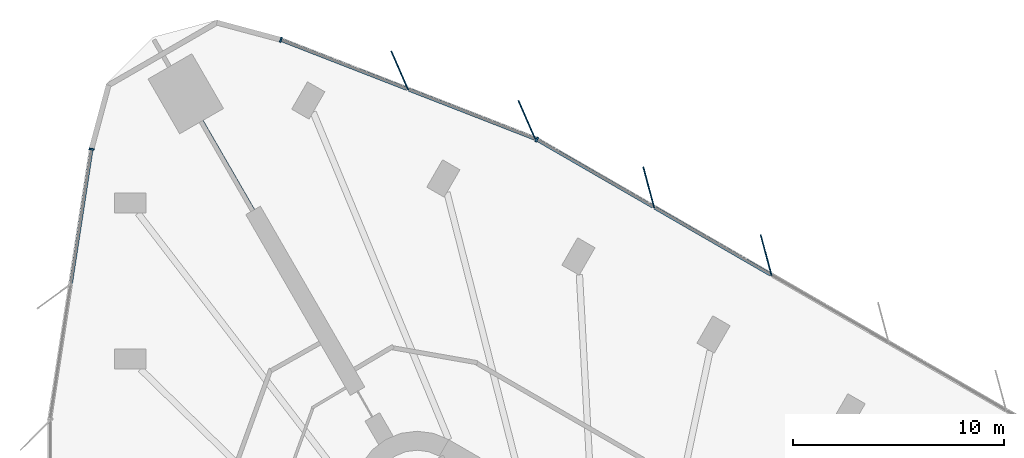
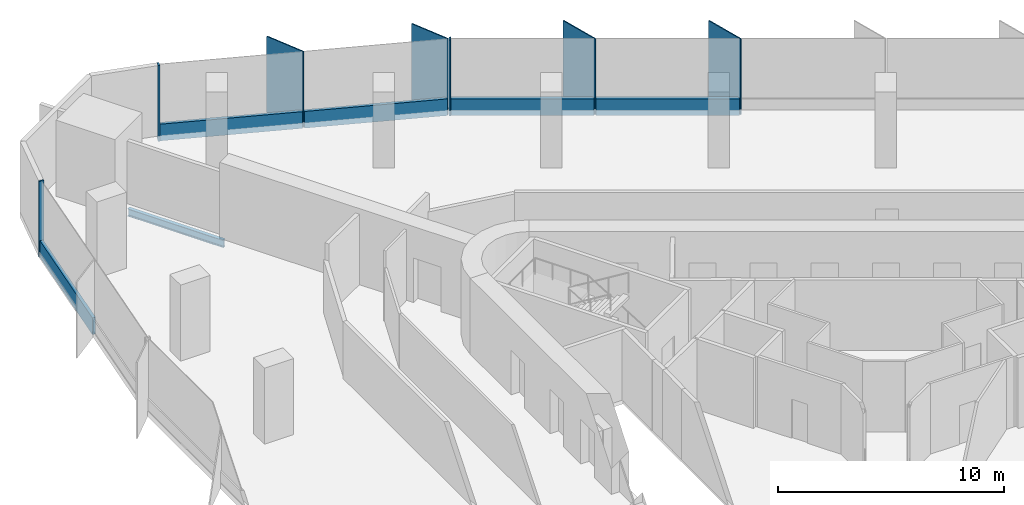
# One storey, part 7 of 15: 12 members, 1 beam, 3 elements without a shape of their own.
"""IFC4 building model written with IfcOpenShell, lengths in metres."""

import ifcopenshell
import ifcopenshell.guid

model = None  # the IFC model being written
_history = None  # IfcOwnerHistory: only IFC2X3 demands one
_inside = {}  # id of a spatial element -> (the spatial element, [elements in it])
_under = {}  # id of a project, library or spatial element -> (it, [spatial elements below it])
_declared = {}  # id of a project -> (the project, [libraries it declares])
_typed = {}  # id of a type object -> (the type object, [elements of that type])
_made_of = {}  # id of a material, layer set ... -> (it, [elements and type objects made of it])


def new_model(schema):
    """Start an empty IFC model of exactly this schema.

    Asked for "IFC4X3", IfcOpenShell would pick the latest addendum, in which some entities
    have other attributes; the version numbers below select the first issue.
    IFC2X3 requires an IfcOwnerHistory on every rooted entity: one is made here for all.
    """
    global model, _history
    if schema == "IFC4X3":
        model = ifcopenshell.file(schema_version=(4, 3, 0, 0))
    else:
        model = ifcopenshell.file(schema=schema)
    _inside.clear()
    _under.clear()
    _declared.clear()
    _typed.clear()
    _made_of.clear()
    _history = None
    if model.schema == "IFC2X3":
        org = make("IfcOrganization", Name="unknown")
        user = make(
            "IfcPersonAndOrganization",
            ThePerson=make("IfcPerson", FamilyName="unknown"),
            TheOrganization=org,
        )
        app = make(
            "IfcApplication",
            ApplicationDeveloper=org,
            Version="unknown",
            ApplicationFullName="unknown",
            ApplicationIdentifier="unknown",
        )
        _history = make(
            "IfcOwnerHistory",
            OwningUser=user,
            OwningApplication=app,
            ChangeAction="ADDED",
            CreationDate=0,
        )
    return model


def make(cls, **values):
    """One entity of the class cls with the attributes given. An attribute that is None is left unset."""
    return model.create_entity(
        cls, **{name: value for name, value in values.items() if value is not None}
    )


def rooted(cls, **values):
    """An entity with a GlobalId (a new one), such as an element, a storey or a relation."""
    return make(cls, GlobalId=ifcopenshell.guid.new(), OwnerHistory=_history, **values)


def si_unit(unit_type, name, prefix=None):
    """IfcSIUnit, for example si_unit("LENGTHUNIT", "METRE", prefix="MILLI")."""
    return make("IfcSIUnit", UnitType=unit_type, Prefix=prefix, Name=name)


def assignment(units):
    """IfcUnitAssignment: the units of a project."""
    return None if units is None else make("IfcUnitAssignment", Units=units)


def point(xyz):
    """IfcCartesianPoint."""
    return None if xyz is None else make("IfcCartesianPoint", Coordinates=xyz)


def direction(xyz):
    """IfcDirection."""
    return None if xyz is None else make("IfcDirection", DirectionRatios=xyz)


def frame(location, z_axis=None, x_axis=None):
    """IfcAxis2Placement3D, a coordinate frame: its origin and axes. An axis left out is left unset."""
    return make(
        "IfcAxis2Placement3D",
        Location=point(location),
        Axis=direction(z_axis),
        RefDirection=direction(x_axis),
    )


def frame_2d(location, x_axis=None):
    """IfcAxis2Placement2D, a coordinate frame in the plane: its origin and x axis."""
    return make(
        "IfcAxis2Placement2D", Location=point(location), RefDirection=direction(x_axis)
    )


def origin():
    """The frame at (0, 0, 0) with its axes left unset."""
    return frame((0.0, 0.0, 0.0))


def origin_2d():
    """The frame at (0, 0) in the plane with its x axis left unset."""
    return frame_2d((0.0, 0.0))


def place(relative_to, where):
    """IfcLocalPlacement: puts the frame where relative to a parent placement (None: the world)."""
    return make(
        "IfcLocalPlacement", PlacementRelTo=relative_to, RelativePlacement=where
    )


def context(
    kind, dimensions, precision=None, world=None, true_north=None, identifier=None
):
    """IfcGeometricRepresentationContext, for example the 3D "Model" context."""
    return make(
        "IfcGeometricRepresentationContext",
        ContextIdentifier=identifier,
        ContextType=kind,
        CoordinateSpaceDimension=dimensions,
        Precision=precision,
        WorldCoordinateSystem=world,
        TrueNorth=true_north,
    )


def subcontext(parent, identifier, kind, view, scale=None):
    """IfcGeometricRepresentationSubContext, for example "Body" below "Model"."""
    return make(
        "IfcGeometricRepresentationSubContext",
        ContextIdentifier=identifier,
        ContextType=kind,
        ParentContext=parent,
        TargetScale=scale,
        TargetView=view,
    )


def project(units=None, contexts=None):
    """IfcProject with its units and contexts."""
    return rooted(
        "IfcProject",
        Name="project",
        RepresentationContexts=contexts,
        UnitsInContext=assignment(units),
    )


def spatial(cls, under=None, at=None, **own):
    """A site, building, storey or space (cls), placed at a placement, below another one or the project."""
    s = rooted(cls, ObjectPlacement=at, **own)
    if under is not None:
        _under.setdefault(under.id(), (under, []))[1].append(s)
    return s


def profile(cls, at=None, kind="AREA", **sizes):
    """A parametric profile (cls). Its sizes go by their IFC names, for example OverallWidth=200.0."""
    return make(cls, ProfileType=kind, Position=at, **sizes)


def rectangle(**sizes):
    """IfcRectangleProfileDef."""
    return profile("IfcRectangleProfileDef", **sizes)


def i_section(**sizes):
    """IfcIShapeProfileDef."""
    return profile("IfcIShapeProfileDef", **sizes)


def extrude(swept, where, along, depth):
    """IfcExtrudedAreaSolid: the profile swept, set in the frame where, extruded along a direction by depth."""
    return make(
        "IfcExtrudedAreaSolid",
        SweptArea=swept,
        Position=where,
        ExtrudedDirection=direction(along),
        Depth=depth,
    )


def shape(context_of_items, identifier, shape_type, items):
    """IfcShapeRepresentation: the items that make up one representation, for example the "Body"."""
    return make(
        "IfcShapeRepresentation",
        ContextOfItems=context_of_items,
        RepresentationIdentifier=identifier,
        RepresentationType=shape_type,
        Items=items,
    )


def material(Name=None, Category=None):
    """IfcMaterial."""
    return make("IfcMaterial", Name=Name, Category=Category)


def material_profile(
    of_material, cross_section, Name=None, Category=None, Priority=None
):
    """IfcMaterialProfile: a cross section and its material."""
    return make(
        "IfcMaterialProfile",
        Name=Name,
        Material=of_material,
        Profile=cross_section,
        Priority=Priority,
        Category=Category,
    )


def profile_set(profiles, Name=None, composite=None):
    """IfcMaterialProfileSet."""
    return make(
        "IfcMaterialProfileSet",
        Name=Name,
        MaterialProfiles=profiles,
        CompositeProfile=composite,
    )


def made_of(thing, what):
    """Note that an element or type object is made of a material, layer set ...; save() writes the relation."""
    if what is not None:
        _made_of.setdefault(what.id(), (what, []))[1].append(thing)
    return thing


def type_object(cls, material=None, **own):
    """A type object (cls), such as IfcWallType, which elements share."""
    return made_of(rooted(cls, **own), material)


def element(
    cls,
    number,
    at=None,
    inside=None,
    cuts=None,
    type_object=None,
    material=None,
    context=None,
    identifier="Body",
    shape_type=None,
    held_by="IfcProductDefinitionShape",
    body=None,
    shapes=None,
    **own,
):
    """One element of the class cls, such as IfcWall. Its Tag is "e" and its number.

    at: its placement. inside: the storey or other place that contains it. cuts: it is an
    opening in that element (IfcRelVoidsElement). A single representation is given by context,
    identifier, shape_type and body (its items); several are given by shapes. held_by: the class
    of the entity that holds the representations. save() writes the other relations.
    """
    e = rooted(cls, Tag="e%d" % number, ObjectPlacement=at, **own)
    if body is not None:
        shapes = [shape(context, identifier, shape_type, body)]
    if shapes is not None:
        e.Representation = make(held_by, Representations=shapes)
    if inside is not None:
        _inside.setdefault(inside.id(), (inside, []))[1].append(e)
    if cuts is not None:
        rooted(
            "IfcRelVoidsElement", RelatingBuildingElement=cuts, RelatedOpeningElement=e
        )
    if type_object is not None:
        _typed.setdefault(type_object.id(), (type_object, []))[1].append(e)
    return made_of(e, material)


def aggregate(whole, parts):
    """IfcRelAggregates: a whole, such as a stair, and the parts it consists of."""
    return rooted("IfcRelAggregates", RelatingObject=whole, RelatedObjects=parts)


def save(model, path):
    """Write the relations noted so far, then the file.

    IfcRelAggregates (storeys below a building ...), IfcRelContainedInSpatialStructure (elements
    in a storey), IfcRelDefinesByType, IfcRelAssociatesMaterial and IfcRelDeclares: one each for
    every whole, place, type object, material and project.
    """
    for whole, parts in _under.values():
        aggregate(whole, parts)
    for where, things in _inside.values():
        rooted(
            "IfcRelContainedInSpatialStructure",
            RelatedElements=things,
            RelatingStructure=where,
        )
    for kind, things in _typed.values():
        rooted("IfcRelDefinesByType", RelatedObjects=things, RelatingType=kind)
    for what, things in _made_of.values():
        rooted("IfcRelAssociatesMaterial", RelatedObjects=things, RelatingMaterial=what)
    for by, libraries in _declared.values():
        rooted("IfcRelDeclares", RelatingContext=by, RelatedDefinitions=libraries)
    model.write(path)


model = new_model("IFC4")

# Units and contexts
model_context = context("Model", 3, precision=1e-05, world=origin(), true_north=direction((0.0, 1.0)))
body_context = subcontext(model_context, "Body", "Model", "MODEL_VIEW")
ifc_project = project(units=[si_unit("LENGTHUNIT", "METRE"), si_unit("AREAUNIT", "SQUARE_METRE"), si_unit("VOLUMEUNIT", "CUBIC_METRE"), si_unit("PLANEANGLEUNIT", "RADIAN"), si_unit("MASSUNIT", "GRAM", prefix="KILO")], contexts=[model_context])

# Site, building, storey
site_placement = place(None, origin())
site = spatial("IfcSite", under=ifc_project, at=site_placement, CompositionType="ELEMENT")
building_placement = place(site_placement, origin())
building = spatial("IfcBuilding", under=site, at=building_placement, Name="Tanit Gate Tower", CompositionType="ELEMENT")
storey_placement = place(building_placement, frame((0.0, 0.0, 139.800048828125)))
storey = spatial("IfcBuildingStorey", under=building, at=storey_placement, Name="L30", CompositionType="ELEMENT", Elevation=139.800048828125)

# Curtain wall, members
ifc_material_1 = material(Name="Aluminium bronze anodised and glass", Category="aluminium")
curtain_wall_type = type_object("IfcCurtainWallType", Name="Curtain wall typical low", PredefinedType="NOTDEFINED", material=ifc_material_1)
curtain_wall_1_placement = place(storey_placement, origin())
curtain_wall_1 = element("IfcCurtainWall", 1, at=curtain_wall_1_placement, inside=storey, type_object=curtain_wall_type, Name="Curtain wall L30 NE2", PredefinedType="NOTDEFINED")
ifc_material_2 = material(Name="Aluminium bronze anodised", Category="aluminium")
ifc_material_profile_1 = material_profile(ifc_material_2, rectangle(XDim=2.0, YDim=0.055908203125, at=origin_2d()), Name="56x2000 bronze fin mullion")
ifc_profile_set_1 = profile_set([ifc_material_profile_1], Name="Aluminium bronze anodised")
member_type_1 = type_object("IfcMemberType", Name="FIN MULLION 56x2000 bronze", PredefinedType="MULLION", material=ifc_profile_set_1)
member_1_placement = place(storey_placement, frame((7.435791015625, 27.10546875, -0.300048828125), z_axis=(0.0, 0.0, 1.0), x_axis=(0.25875206837, -0.965943770162, 0.0)))
member_1 = element("IfcMember", 2, at=member_1_placement, type_object=member_type_1, Name="Fin mullion L30 NE2.5", PredefinedType="MULLION", context=body_context, shape_type="SweptSolid", body=[
    extrude(rectangle(XDim=2.0, YDim=0.055908203125, at=origin_2d()), origin(), (0.0, 0.0, 1.0), 4.10009765625),
])
member_2_placement = place(storey_placement, frame((1.874267578125, 30.317138671875, -0.300048828125), z_axis=(0.0, 0.0, 1.0), x_axis=(0.25875206837, -0.965943770162, 0.0)))
member_2 = element("IfcMember", 3, at=member_2_placement, type_object=member_type_1, Name="Fin mullion L30 NE2.6", PredefinedType="MULLION", context=body_context, shape_type="SweptSolid", body=[
    extrude(rectangle(XDim=2.0, YDim=0.055908203125, at=origin_2d()), origin(), (0.0, 0.0, 1.0), 4.10009765625),
])

curtain_wall_2_placement = place(storey_placement, origin())
curtain_wall_2 = element("IfcCurtainWall", 4, at=curtain_wall_2_placement, inside=storey, type_object=curtain_wall_type, Name="Curtain wall L30 NE3", PredefinedType="NOTDEFINED")
member_3_placement = place(storey_placement, frame((-3.89990234375, 33.513671875, -0.300048828125), z_axis=(0.0, 0.0, 1.0), x_axis=(0.402639503753, -0.915358634644, 0.0)))
member_3 = element("IfcMember", 5, at=member_3_placement, type_object=member_type_1, Name="Fin mullion L30 NE3.1", PredefinedType="MULLION", context=body_context, shape_type="SweptSolid", body=[
    extrude(rectangle(XDim=2.0, YDim=0.055908203125, at=origin_2d()), origin(), (0.0, 0.0, 1.0), 4.10009765625),
])
member_4_placement = place(storey_placement, frame((-9.92626953125, 35.85791015625, -0.300048828125), z_axis=(0.0, 0.0, 1.0), x_axis=(0.402639503753, -0.915358634644, 0.0)))
member_4 = element("IfcMember", 6, at=member_4_placement, type_object=member_type_1, Name="Fin mullion L30 NE3.2", PredefinedType="MULLION", context=body_context, shape_type="SweptSolid", body=[
    extrude(rectangle(XDim=2.0, YDim=0.055908203125, at=origin_2d()), origin(), (0.0, 0.0, 1.0), 4.10009765625),
])

# Member
ifc_material_3 = material(Name="Aluminium bronze anodised", Category="aluminium")
ifc_material_profile_2 = material_profile(ifc_material_3, rectangle(XDim=0.239990234375, YDim=0.080078125, at=origin_2d()), Name="80x240 bronze mullion")
ifc_profile_set_2 = profile_set([ifc_material_profile_2], Name="Aluminium bronze anodised")
member_type_2 = type_object("IfcMemberType", Name="Mullion 80x240 typical low", PredefinedType="MULLION", material=ifc_profile_set_2)
member_5_placement = place(storey_placement, frame((-3.434326171875, 32.58447265625, -0.300048828125), z_axis=(0.0, 0.0, 1.0), x_axis=(-0.500060047936, -0.865990732317, 0.0)))
member_5 = element("IfcMember", 7, at=member_5_placement, type_object=member_type_2, Name="Mullion L30 NE2.7", PredefinedType="MULLION", context=body_context, shape_type="SweptSolid", body=[
    extrude(rectangle(XDim=0.239990234375, YDim=0.080078125, at=origin_2d()), origin(), (0.0, 0.0, 1.0), 4.10009765625),
])

member_6_placement = place(storey_placement, frame((-15.55908203125, 37.3076171875, -0.300048828125), z_axis=(0.0, 0.0, 1.0), x_axis=(-0.362547174298, -0.931965421252, 0.0)))
member_6 = element("IfcMember", 8, at=member_6_placement, type_object=member_type_2, Name="Mullion L30 NE3.3", PredefinedType="MULLION", context=body_context, shape_type="SweptSolid", body=[
    extrude(rectangle(XDim=0.239990234375, YDim=0.080078125, at=origin_2d()), origin(), (0.0, 0.0, 1.0), 4.10009765625),
])

# Curtain wall, member
curtain_wall_3_placement = place(storey_placement, origin())
curtain_wall_3 = element("IfcCurtainWall", 9, at=curtain_wall_3_placement, inside=storey, type_object=curtain_wall_type, Name="Curtain wall L30 W1", PredefinedType="NOTDEFINED")
member_7_placement = place(storey_placement, frame((-24.52978515625, 32.12841796875, -0.300048828125), z_axis=(0.0, 0.0, 1.0), x_axis=(0.988410187402, -0.151806789832, 0.0)))
member_7 = element("IfcMember", 10, at=member_7_placement, type_object=member_type_2, Name="Mullion L30 W1.1", PredefinedType="MULLION", context=body_context, shape_type="SweptSolid", body=[
    extrude(rectangle(XDim=0.239990234375, YDim=0.080078125, at=origin_2d()), origin(), (0.0, 0.0, 1.0), 4.10009765625),
])

# Beam
ifc_material_4 = material(Name="Steel S355", Category="steel")
ifc_material_profile_3 = material_profile(ifc_material_4, i_section(OverallWidth=0.179931640625, OverallDepth=0.39990234375, WebThickness=0.008544921875, FlangeThickness=0.013427734375, FilletRadius=0.02099609375, at=origin_2d()), Name="IPE 400")
ifc_profile_set_3 = profile_set([ifc_material_profile_3], Name="Steel S355")
beam_type = type_object("IfcBeamType", Name="RADIAL GIRDER IPE 400 S355", PredefinedType="BEAM", material=ifc_profile_set_3)
beam_placement = place(storey_placement, frame((-19.31396484375, 33.45263671875, -0.5), z_axis=(0.500002508028, -0.866023955769, 0.0), x_axis=(0.866023955769, 0.500002508028, 0.0)))
element("IfcBeam", 11, at=beam_placement, inside=storey, type_object=beam_type, Name="RADIAL GIRDER", PredefinedType="BEAM", context=body_context, shape_type="SweptSolid", body=[
    extrude(i_section(OverallWidth=0.179931640625, OverallDepth=0.39990234375, WebThickness=0.008544921875, FlangeThickness=0.013427734375, FilletRadius=0.02099609375, at=origin_2d()), origin(), (0.0, 0.0, 1.0), 4.8798828125),
])

# Member
ifc_material_5 = material(Name="Aluminium bronze anodised", Category="aluminium")
ifc_material_profile_4 = material_profile(ifc_material_5, rectangle(XDim=0.159912109375, YDim=0.89990234375, at=origin_2d()), Name="160x900 bronze transom")
ifc_profile_set_4 = profile_set([ifc_material_profile_4], Name="Aluminium bronze anodised")
member_type_3 = type_object("IfcMemberType", Name="Transom 160x900 typical low", PredefinedType="USERDEFINED", material=ifc_profile_set_4)
member_8_placement = place(storey_placement, frame((7.654052734375, 26.181396484375, 0.14990234375), z_axis=(-0.865976587993, 0.500084541901, 0.0), x_axis=(-0.500084541901, -0.865976587993, 0.0)))
member_8 = element("IfcMember", 12, at=member_8_placement, type_object=member_type_3, Name="Transom L30 NE2.5", ObjectType="TRANSOM", PredefinedType="USERDEFINED", context=body_context, shape_type="SweptSolid", body=[
    extrude(rectangle(XDim=0.159912109375, YDim=0.89990234375, at=origin_2d()), origin(), (0.0, 0.0, 1.0), 6.34228515625),
])

member_9_placement = place(storey_placement, frame((2.092529296875, 29.39306640625, 0.14990234375), z_axis=(-0.866002883922, 0.500039003518, 0.0), x_axis=(-0.500039003518, -0.866002883922, 0.0)))
member_9 = element("IfcMember", 13, at=member_9_placement, type_object=member_type_3, Name="Transom L30 NE2.6", ObjectType="TRANSOM", PredefinedType="USERDEFINED", context=body_context, shape_type="SweptSolid", body=[
    extrude(rectangle(XDim=0.159912109375, YDim=0.89990234375, at=origin_2d()), origin(), (0.0, 0.0, 1.0), 6.34228515625),
])

aggregate(curtain_wall_1, [member_1, member_2, member_5, member_8, member_9])

member_10_placement = place(storey_placement, frame((-3.543701171875, 32.633544921875, 0.14990234375), z_axis=(-0.931975253966, 0.362521897262, 0.0), x_axis=(-0.362521897262, -0.931975253966, 0.0)))
member_10 = element("IfcMember", 14, at=member_10_placement, type_object=member_type_3, Name="Transom L30 NE3.1", ObjectType="TRANSOM", PredefinedType="USERDEFINED", context=body_context, shape_type="SweptSolid", body=[
    extrude(rectangle(XDim=0.159912109375, YDim=0.89990234375, at=origin_2d()), origin(), (0.0, 0.0, 1.0), 6.38623046875),
])

member_11_placement = place(storey_placement, frame((-9.570068359375, 34.977783203125, 0.14990234375), z_axis=(-0.931962337581, 0.362555101096, 0.0), x_axis=(-0.362555101096, -0.931962337581, 0.0)))
member_11 = element("IfcMember", 15, at=member_11_placement, type_object=member_type_3, Name="Transom L30 NE3.2", ObjectType="TRANSOM", PredefinedType="USERDEFINED", context=body_context, shape_type="SweptSolid", body=[
    extrude(rectangle(XDim=0.159912109375, YDim=0.89990234375, at=origin_2d()), origin(), (0.0, 0.0, 1.0), 6.386474609375),
])

aggregate(curtain_wall_2, [member_3, member_4, member_6, member_10, member_11])

member_12_placement = place(storey_placement, frame((-24.535888671875, 32.0888671875, 0.14990234375), z_axis=(-0.151812991103, -0.988409234949, 0.0), x_axis=(0.988409234949, -0.151812991103, 0.0)))
member_12 = element("IfcMember", 16, at=member_12_placement, type_object=member_type_3, Name="Transom L30 W1.1", ObjectType="TRANSOM", PredefinedType="USERDEFINED", context=body_context, shape_type="SweptSolid", body=[
    extrude(rectangle(XDim=0.159912109375, YDim=0.89990234375, at=origin_2d()), origin(), (0.0, 0.0, 1.0), 6.385986328125),
])

aggregate(curtain_wall_3, [member_7, member_12])

save(model, "model.ifc")
